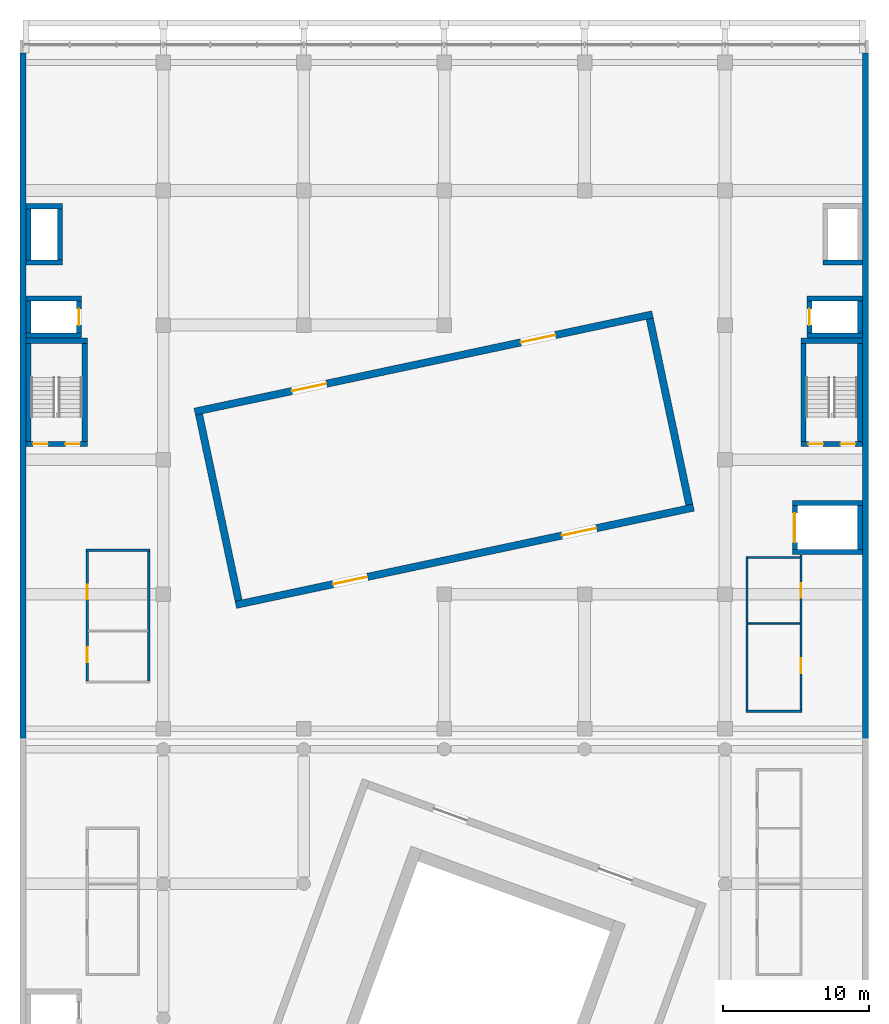
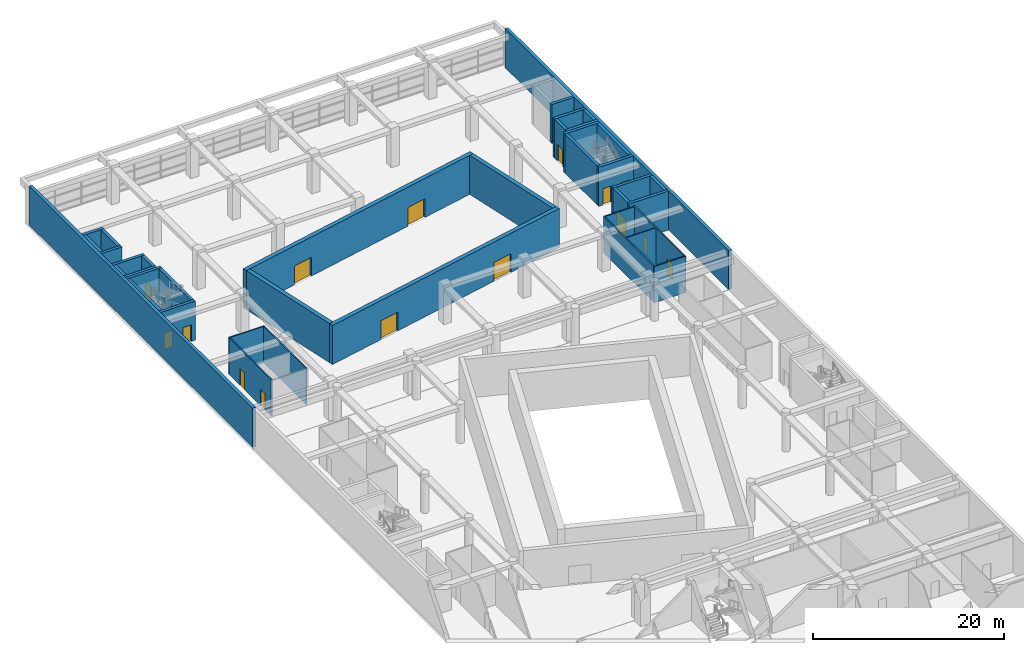
# One storey, part 14 of 31: 39 walls, 15 doors, 15 openings.
"""IFC4 building model written with IfcOpenShell, lengths in metres."""

from ifc_helpers import new_model, si_unit, direction, frame, frame_2d, origin, place, context, subcontext, project, spatial, rectangle, extrude, material, layer, layer_set, type_object, element, fill, save


model = new_model("IFC4")

# Units and contexts
model_context = context("Model", 3, precision=1e-05, world=origin(), true_north=direction((0.0, 1.0)))
body_context = subcontext(model_context, "Body", "Model", "MODEL_VIEW")
ifc_project = project(units=[si_unit("LENGTHUNIT", "METRE"), si_unit("AREAUNIT", "SQUARE_METRE"), si_unit("VOLUMEUNIT", "CUBIC_METRE"), si_unit("PLANEANGLEUNIT", "RADIAN"), si_unit("MASSUNIT", "GRAM", prefix="KILO")], contexts=[model_context])

# Site, building, storey
site_placement = place(None, origin())
site = spatial("IfcSite", under=ifc_project, at=site_placement, CompositionType="ELEMENT")
building_placement = place(site_placement, origin())
building = spatial("IfcBuilding", under=site, at=building_placement, Name="Nzadi Deep Aquarium and Research Tower", CompositionType="ELEMENT")
storey_placement = place(building_placement, frame((0.0, 0.0, 21.699951171875)))
storey = spatial("IfcBuildingStorey", under=building, at=storey_placement, Name="L03", CompositionType="ELEMENT", Elevation=21.699951171875)

# Wall
ifc_material_1 = material(Name="Blockwork masonry", Category="masonry")
ifc_layer_1 = layer(ifc_material_1, 0.10009765625)
ifc_layer_set_1 = layer_set([ifc_layer_1], Name="Blockwork masonry")
wall_type_1 = type_object("IfcWallType", Name="Partition 100 EI 30", PredefinedType="PARTITIONING", material=ifc_layer_set_1)
wall_1_placement = place(storey_placement, frame((49.574951171875, 102.0, 0.0), z_axis=(0.0, 0.0, 1.0), x_axis=(1.0, 0.0, 0.0)))
element("IfcWall", 1, at=wall_1_placement, inside=storey, type_object=wall_type_1, Name="W-Z3-L03-P008", PredefinedType="PARTITIONING", context=body_context, shape_type="SweptSolid", body=[
    extrude(rectangle(XDim=3.550048828125, YDim=0.10009765625, at=frame_2d((1.77490234375, 0.0))), origin(), (0.0, 0.0, 1.0), 4.650146484375),
])

# Wall, openings, doors
ifc_material_2 = material(Name="Blockwork masonry", Category="masonry")
ifc_layer_2 = layer(ifc_material_2, 0.14990234375)
ifc_layer_set_2 = layer_set([ifc_layer_2], Name="Blockwork masonry")
wall_type_2 = type_object("IfcWallType", Name="Partition 150 EI 60", PredefinedType="PARTITIONING", material=ifc_layer_set_2)
wall_2_placement = place(storey_placement, frame((4.39990234375, 98.074951171875, 0.0), z_axis=(0.0, 0.0, 1.0), x_axis=(0.0, 1.0, 0.0)))
wall_2 = element("IfcWall", 2, at=wall_2_placement, inside=storey, type_object=wall_type_2, Name="W-Z3-L03-P002", PredefinedType="PARTITIONING", context=body_context, shape_type="SweptSolid", body=[
    extrude(rectangle(XDim=8.85009765625, YDim=0.14990234375, at=frame_2d((4.425048828125, 0.0))), origin(), (0.0, 0.0, 1.0), 4.650146484375),
])
opening_1_placement = place(wall_2_placement, frame((1.284912109375, 0.0, 0.0)))
opening_1 = element("IfcOpeningElement", 3, at=opening_1_placement, cuts=wall_2, Name="Opening D043003", PredefinedType="OPENING", context=body_context, shape_type="SweptSolid", body=[
    extrude(rectangle(XDim=1.0, YDim=2.10009765625, at=frame_2d((0.5, 1.050048828125))), frame((0.0, 0.0849609375, 0.0), z_axis=(0.0, -1.0, 0.0), x_axis=(1.0, 0.0, 0.0)), (0.0, 0.0, 1.0), 0.169921875),
])
opening_2_placement = place(wall_2_placement, frame((5.56494140625, 0.0, 0.0)))
opening_2 = element("IfcOpeningElement", 4, at=opening_2_placement, cuts=wall_2, Name="Opening D043004", PredefinedType="OPENING", context=body_context, shape_type="SweptSolid", body=[
    extrude(rectangle(XDim=1.0, YDim=2.10009765625, at=frame_2d((0.5, 1.050048828125))), frame((0.0, 0.0849609375, 0.0), z_axis=(0.0, -1.0, 0.0), x_axis=(1.0, 0.0, 0.0)), (0.0, 0.0, 1.0), 0.169921875),
])
ifc_material_3 = material(Name="Fire-rated steel door", Category="steel")
ifc_layer_3 = layer(ifc_material_3, 0.050048828125)
ifc_layer_set_3 = layer_set([ifc_layer_3], Name="Fire-rated steel door")
door_type_1 = type_object("IfcDoorType", Name="Door 1000x2100 EI 60 single", OperationType="SINGLE_SWING_LEFT", PredefinedType="DOOR", material=ifc_layer_set_3)
door_1_placement = place(opening_1_placement, origin())
door_1 = element("IfcDoor", 5, at=door_1_placement, inside=storey, type_object=door_type_1, Name="D043003", OperationType="SINGLE_SWING_RIGHT", OverallHeight=2.10009765625, OverallWidth=1.0, PredefinedType="DOOR", context=body_context, shape_type="SweptSolid", body=[
    extrude(rectangle(XDim=1.0, YDim=2.10009765625, at=frame_2d((0.5, 1.050048828125))), frame((0.0, 0.02490234375, 0.0), z_axis=(0.0, -1.0, 0.0), x_axis=(1.0, 0.0, 0.0)), (0.0, 0.0, 1.0), 0.050048828125),
])
fill(opening_1, door_1)
door_2_placement = place(opening_2_placement, origin())
door_2 = element("IfcDoor", 6, at=door_2_placement, inside=storey, type_object=door_type_1, Name="D043004", OperationType="SINGLE_SWING_LEFT", OverallHeight=2.10009765625, OverallWidth=1.0, PredefinedType="DOOR", context=body_context, shape_type="SweptSolid", body=[
    extrude(rectangle(XDim=1.0, YDim=2.10009765625, at=frame_2d((0.5, 1.050048828125))), frame((0.0, 0.02490234375, 0.0), z_axis=(0.0, -1.0, 0.0), x_axis=(1.0, 0.0, 0.0)), (0.0, 0.0, 1.0), 0.050048828125),
])
fill(opening_2, door_2)

# Walls
wall_3_placement = place(storey_placement, frame((4.324951171875, 107.0, 0.0), z_axis=(0.0, 0.0, 1.0), x_axis=(1.0, 0.0, 0.0)))
element("IfcWall", 7, at=wall_3_placement, inside=storey, type_object=wall_type_2, Name="W-Z3-L03-P003", PredefinedType="PARTITIONING", context=body_context, shape_type="SweptSolid", body=[
    extrude(rectangle(XDim=4.35009765625, YDim=0.14990234375, at=frame_2d((2.175048828125, 0.0))), origin(), (0.0, 0.0, 1.0), 4.650146484375),
])
wall_4_placement = place(storey_placement, frame((8.60009765625, 98.074951171875, 0.0), z_axis=(0.0, 0.0, 1.0), x_axis=(0.0, 1.0, 0.0)))
element("IfcWall", 8, at=wall_4_placement, inside=storey, type_object=wall_type_2, Name="W-Z3-L03-P005", PredefinedType="PARTITIONING", context=body_context, shape_type="SweptSolid", body=[
    extrude(rectangle(XDim=8.85009765625, YDim=0.14990234375, at=frame_2d((4.425048828125, 0.0))), origin(), (0.0, 0.0, 1.0), 4.650146484375),
])
wall_5_placement = place(storey_placement, frame((49.425048828125, 96.0, 0.0), z_axis=(0.0, 0.0, 1.0), x_axis=(1.0, 0.0, 0.0)))
element("IfcWall", 9, at=wall_5_placement, inside=storey, type_object=wall_type_2, Name="W-Z3-L03-P006", PredefinedType="PARTITIONING", context=body_context, shape_type="SweptSolid", body=[
    extrude(rectangle(XDim=3.849853515625, YDim=0.14990234375, at=frame_2d((1.9248046875, 0.0))), origin(), (0.0, 0.0, 1.0), 4.650146484375),
])
wall_6_placement = place(storey_placement, frame((49.5, 96.074951171875, 0.0), z_axis=(0.0, 0.0, 1.0), x_axis=(0.0, 1.0, 0.0)))
element("IfcWall", 10, at=wall_6_placement, inside=storey, type_object=wall_type_2, Name="W-Z3-L03-P007", PredefinedType="PARTITIONING", context=body_context, shape_type="SweptSolid", body=[
    extrude(rectangle(XDim=10.5, YDim=0.14990234375, at=frame_2d((5.25, 0.0))), origin(), (0.0, 0.0, 1.0), 4.650146484375),
])
wall_7_placement = place(storey_placement, frame((49.574951171875, 106.5, 0.0), z_axis=(0.0, 0.0, 1.0), x_axis=(1.0, 0.0, 0.0)))
element("IfcWall", 11, at=wall_7_placement, inside=storey, type_object=wall_type_2, Name="W-Z3-L03-P009", PredefinedType="PARTITIONING", context=body_context, shape_type="SweptSolid", body=[
    extrude(rectangle(XDim=3.550048828125, YDim=0.14990234375, at=frame_2d((1.77490234375, 0.0))), origin(), (0.0, 0.0, 1.0), 4.650146484375),
])

# Wall, openings, doors
wall_8_placement = place(storey_placement, frame((53.199951171875, 96.074951171875, 0.0), z_axis=(0.0, 0.0, 1.0), x_axis=(0.0, 1.0, 0.0)))
wall_8 = element("IfcWall", 12, at=wall_8_placement, inside=storey, type_object=wall_type_2, Name="W-Z3-L03-P010", PredefinedType="PARTITIONING", context=body_context, shape_type="SweptSolid", body=[
    extrude(rectangle(XDim=10.619140625, YDim=0.14990234375, at=frame_2d((5.3095703125, 0.0))), origin(), (0.0, 0.0, 1.0), 4.650146484375),
])
opening_3_placement = place(wall_8_placement, frame((2.534912109375, 0.0, 0.0)))
opening_3 = element("IfcOpeningElement", 13, at=opening_3_placement, cuts=wall_8, Name="Opening D043001", PredefinedType="OPENING", context=body_context, shape_type="SweptSolid", body=[
    extrude(rectangle(XDim=1.0, YDim=2.10009765625, at=frame_2d((0.5, 1.050048828125))), frame((0.0, 0.0849609375, 0.0), z_axis=(0.0, -1.0, 0.0), x_axis=(1.0, 0.0, 0.0)), (0.0, 0.0, 1.0), 0.169921875),
])
opening_4_placement = place(wall_8_placement, frame((7.675048828125, 0.0, 0.0)))
opening_4 = element("IfcOpeningElement", 14, at=opening_4_placement, cuts=wall_8, Name="Opening D043002", PredefinedType="OPENING", context=body_context, shape_type="SweptSolid", body=[
    extrude(rectangle(XDim=1.0, YDim=2.10009765625, at=frame_2d((0.5, 1.050048828125))), frame((0.0, 0.0849609375, 0.0), z_axis=(0.0, -1.0, 0.0), x_axis=(1.0, 0.0, 0.0)), (0.0, 0.0, 1.0), 0.169921875),
])
door_3_placement = place(opening_3_placement, origin())
door_3 = element("IfcDoor", 15, at=door_3_placement, inside=storey, type_object=door_type_1, Name="D043001", OperationType="SINGLE_SWING_LEFT", OverallHeight=2.10009765625, OverallWidth=1.0, PredefinedType="DOOR", context=body_context, shape_type="SweptSolid", body=[
    extrude(rectangle(XDim=1.0, YDim=2.10009765625, at=frame_2d((0.5, 1.050048828125))), frame((0.0, 0.02490234375, 0.0), z_axis=(0.0, -1.0, 0.0), x_axis=(1.0, 0.0, 0.0)), (0.0, 0.0, 1.0), 0.050048828125),
])
fill(opening_3, door_3)
door_4_placement = place(opening_4_placement, origin())
door_4 = element("IfcDoor", 16, at=door_4_placement, inside=storey, type_object=door_type_1, Name="D043002", OperationType="SINGLE_SWING_RIGHT", OverallHeight=2.10009765625, OverallWidth=1.0, PredefinedType="DOOR", context=body_context, shape_type="SweptSolid", body=[
    extrude(rectangle(XDim=1.0, YDim=2.10009765625, at=frame_2d((0.5, 1.050048828125))), frame((0.0, 0.02490234375, 0.0), z_axis=(0.0, -1.0, 0.0), x_axis=(1.0, 0.0, 0.0)), (0.0, 0.0, 1.0), 0.050048828125),
])
fill(opening_4, door_4)

ifc_material_4 = material(Name="Concrete C35/45", Category="concrete")
ifc_layer_4 = layer(ifc_material_4, 0.35009765625)
ifc_layer_set_4 = layer_set([ifc_layer_4], Name="Concrete C35/45")
wall_type_3 = type_object("IfcWallType", Name="RC core wall 350", PredefinedType="SHEAR", material=ifc_layer_set_4)
wall_9_placement = place(storey_placement, frame((0.199951171875, 114.27490234375, 0.0), z_axis=(0.0, 0.0, 1.0), x_axis=(1.0, 0.0, 0.0)))
wall_9 = element("IfcWall", 17, at=wall_9_placement, inside=storey, type_object=wall_type_3, Name="W-CORE-ST-Z3-W-L03-S", PredefinedType="SHEAR", context=body_context, shape_type="SweptSolid", body=[
    extrude(rectangle(XDim=4.199951171875, YDim=0.35009765625, at=frame_2d((2.10009765625, 0.0))), origin(), (0.0, 0.0, 1.0), 5.0),
])
opening_5_placement = place(wall_9_placement, frame((0.5, 0.0, 0.0)))
opening_5 = element("IfcOpeningElement", 18, at=opening_5_placement, cuts=wall_9, Name="Opening DS-Z3-W-L03A", PredefinedType="OPENING", context=body_context, shape_type="SweptSolid", body=[
    extrude(rectangle(XDim=1.0, YDim=2.10009765625, at=frame_2d((0.5, 1.050048828125))), frame((0.0, 0.18505859375, 0.0), z_axis=(0.0, -1.0, 0.0), x_axis=(1.0, 0.0, 0.0)), (0.0, 0.0, 1.0), 0.3701171875),
])
opening_6_placement = place(wall_9_placement, frame((2.699951171875, 0.0, 0.0)))
opening_6 = element("IfcOpeningElement", 19, at=opening_6_placement, cuts=wall_9, Name="Opening DS-Z3-W-L03B", PredefinedType="OPENING", context=body_context, shape_type="SweptSolid", body=[
    extrude(rectangle(XDim=1.0, YDim=2.10009765625, at=frame_2d((0.5, 1.050048828125))), frame((0.0, 0.18505859375, 0.0), z_axis=(0.0, -1.0, 0.0), x_axis=(1.0, 0.0, 0.0)), (0.0, 0.0, 1.0), 0.3701171875),
])
ifc_material_5 = material(Name="Steel, powder coated", Category="steel")
door_type_2 = type_object("IfcDoorType", Name="STAIR DOOR 1000x2100 EI 60", OperationType="SINGLE_SWING_LEFT", PredefinedType="DOOR", material=ifc_material_5)
door_5_placement = place(opening_5_placement, origin())
door_5 = element("IfcDoor", 20, at=door_5_placement, inside=storey, type_object=door_type_2, Name="Stair door ST-Z3-W L03 A", OperationType="SINGLE_SWING_RIGHT", OverallHeight=2.10009765625, OverallWidth=1.0, PredefinedType="DOOR", context=body_context, shape_type="SweptSolid", body=[
    extrude(rectangle(XDim=1.0, YDim=2.10009765625, at=frame_2d((0.5, 1.050048828125))), frame((0.0, 0.02490234375, 0.0), z_axis=(0.0, -1.0, 0.0), x_axis=(1.0, 0.0, 0.0)), (0.0, 0.0, 1.0), 0.050048828125),
])
fill(opening_5, door_5)
door_6_placement = place(opening_6_placement, origin())
door_6 = element("IfcDoor", 21, at=door_6_placement, inside=storey, type_object=door_type_2, Name="Stair door ST-Z3-W L03 B", OperationType="SINGLE_SWING_LEFT", OverallHeight=2.10009765625, OverallWidth=1.0, PredefinedType="DOOR", context=body_context, shape_type="SweptSolid", body=[
    extrude(rectangle(XDim=1.0, YDim=2.10009765625, at=frame_2d((0.5, 1.050048828125))), frame((0.0, 0.02490234375, 0.0), z_axis=(0.0, -1.0, 0.0), x_axis=(1.0, 0.0, 0.0)), (0.0, 0.0, 1.0), 0.050048828125),
])
fill(opening_6, door_6)

# Walls
wall_10_placement = place(storey_placement, frame((0.199951171875, 121.324951171875, 0.0), z_axis=(0.0, 0.0, 1.0), x_axis=(1.0, 0.0, 0.0)))
element("IfcWall", 22, at=wall_10_placement, inside=storey, type_object=wall_type_3, Name="W-CORE-ST-Z3-W-L03-N", PredefinedType="SHEAR", context=body_context, shape_type="SweptSolid", body=[
    extrude(rectangle(XDim=4.199951171875, YDim=0.35009765625, at=frame_2d((2.10009765625, 0.0))), origin(), (0.0, 0.0, 1.0), 5.0),
])
for number, where, z_axis, x_axis, name in (
    (23, (0.375, 114.449951171875, 0.0), (0.0, 0.0, 1.0), (0.0, 1.0, 0.0), "W-CORE-ST-Z3-W-L03-W"),
    (24, (4.22509765625, 114.449951171875, 0.0), (0.0, 0.0, 1.0), (0.0, 1.0, 0.0), "W-CORE-ST-Z3-W-L03-E"),
):
    element("IfcWall", number, at=place(storey_placement, frame(where, z_axis=z_axis, x_axis=x_axis)), inside=storey, type_object=wall_type_3, Name=name, PredefinedType="SHEAR", context=body_context, shape_type="SweptSolid", body=[
        extrude(rectangle(XDim=6.699951171875, YDim=0.35009765625, at=frame_2d((3.35009765625, 0.0))), origin(), (0.0, 0.0, 1.0), 5.0),
    ])

# Wall, openings, doors
wall_11_placement = place(storey_placement, frame((53.199951171875, 114.27490234375, 0.0), z_axis=(0.0, 0.0, 1.0), x_axis=(1.0, 0.0, 0.0)))
wall_11 = element("IfcWall", 25, at=wall_11_placement, inside=storey, type_object=wall_type_3, Name="W-CORE-ST-Z3-E-L03-S", PredefinedType="SHEAR", context=body_context, shape_type="SweptSolid", body=[
    extrude(rectangle(XDim=4.199951171875, YDim=0.35009765625, at=frame_2d((2.10009765625, 0.0))), origin(), (0.0, 0.0, 1.0), 5.0),
])
opening_7_placement = place(wall_11_placement, frame((0.5, 0.0, 0.0)))
opening_7 = element("IfcOpeningElement", 26, at=opening_7_placement, cuts=wall_11, Name="Opening DS-Z3-E-L03A", PredefinedType="OPENING", context=body_context, shape_type="SweptSolid", body=[
    extrude(rectangle(XDim=1.0, YDim=2.10009765625, at=frame_2d((0.5, 1.050048828125))), frame((0.0, 0.18505859375, 0.0), z_axis=(0.0, -1.0, 0.0), x_axis=(1.0, 0.0, 0.0)), (0.0, 0.0, 1.0), 0.3701171875),
])
opening_8_placement = place(wall_11_placement, frame((2.699951171875, 0.0, 0.0)))
opening_8 = element("IfcOpeningElement", 27, at=opening_8_placement, cuts=wall_11, Name="Opening DS-Z3-E-L03B", PredefinedType="OPENING", context=body_context, shape_type="SweptSolid", body=[
    extrude(rectangle(XDim=1.0, YDim=2.10009765625, at=frame_2d((0.5, 1.050048828125))), frame((0.0, 0.18505859375, 0.0), z_axis=(0.0, -1.0, 0.0), x_axis=(1.0, 0.0, 0.0)), (0.0, 0.0, 1.0), 0.3701171875),
])
door_7_placement = place(opening_7_placement, origin())
door_7 = element("IfcDoor", 28, at=door_7_placement, inside=storey, type_object=door_type_2, Name="Stair door ST-Z3-E L03 A", OperationType="SINGLE_SWING_RIGHT", OverallHeight=2.10009765625, OverallWidth=1.0, PredefinedType="DOOR", context=body_context, shape_type="SweptSolid", body=[
    extrude(rectangle(XDim=1.0, YDim=2.10009765625, at=frame_2d((0.5, 1.050048828125))), frame((0.0, 0.02490234375, 0.0), z_axis=(0.0, -1.0, 0.0), x_axis=(1.0, 0.0, 0.0)), (0.0, 0.0, 1.0), 0.050048828125),
])
fill(opening_7, door_7)
door_8_placement = place(opening_8_placement, origin())
door_8 = element("IfcDoor", 29, at=door_8_placement, inside=storey, type_object=door_type_2, Name="Stair door ST-Z3-E L03 B", OperationType="SINGLE_SWING_LEFT", OverallHeight=2.10009765625, OverallWidth=1.0, PredefinedType="DOOR", context=body_context, shape_type="SweptSolid", body=[
    extrude(rectangle(XDim=1.0, YDim=2.10009765625, at=frame_2d((0.5, 1.050048828125))), frame((0.0, 0.02490234375, 0.0), z_axis=(0.0, -1.0, 0.0), x_axis=(1.0, 0.0, 0.0)), (0.0, 0.0, 1.0), 0.050048828125),
])
fill(opening_8, door_8)

# Walls
wall_12_placement = place(storey_placement, frame((53.199951171875, 121.324951171875, 0.0), z_axis=(0.0, 0.0, 1.0), x_axis=(1.0, 0.0, 0.0)))
element("IfcWall", 30, at=wall_12_placement, inside=storey, type_object=wall_type_3, Name="W-CORE-ST-Z3-E-L03-N", PredefinedType="SHEAR", context=body_context, shape_type="SweptSolid", body=[
    extrude(rectangle(XDim=4.199951171875, YDim=0.35009765625, at=frame_2d((2.10009765625, 0.0))), origin(), (0.0, 0.0, 1.0), 5.0),
])
for number, where, z_axis, x_axis, name in (
    (31, (53.375, 114.449951171875, 0.0), (0.0, 0.0, 1.0), (0.0, 1.0, 0.0), "W-CORE-ST-Z3-E-L03-W"),
    (32, (57.22509765625, 114.449951171875, 0.0), (0.0, 0.0, 1.0), (0.0, 1.0, 0.0), "W-CORE-ST-Z3-E-L03-E"),
):
    element("IfcWall", number, at=place(storey_placement, frame(where, z_axis=z_axis, x_axis=x_axis)), inside=storey, type_object=wall_type_3, Name=name, PredefinedType="SHEAR", context=body_context, shape_type="SweptSolid", body=[
        extrude(rectangle(XDim=6.699951171875, YDim=0.35009765625, at=frame_2d((3.35009765625, 0.0))), origin(), (0.0, 0.0, 1.0), 5.0),
    ])
for number, where, z_axis, x_axis, name in (
    (33, (0.199951171875, 121.675048828125, 0.0), (0.0, 0.0, 1.0), (1.0, 0.0, 0.0), "W-CORE-PL5-L03-S"),
    (34, (0.199951171875, 124.22509765625, 0.0), (0.0, 0.0, 1.0), (1.0, 0.0, 0.0), "W-CORE-PL5-L03-N"),
):
    element("IfcWall", number, at=place(storey_placement, frame(where, z_axis=z_axis, x_axis=x_axis)), inside=storey, type_object=wall_type_3, Name=name, PredefinedType="SHEAR", context=body_context, shape_type="SweptSolid", body=[
        extrude(rectangle(XDim=3.800048828125, YDim=0.35009765625, at=frame_2d((1.89990234375, 0.0))), origin(), (0.0, 0.0, 1.0), 5.0),
    ])
wall_13_placement = place(storey_placement, frame((0.375, 121.85009765625, 0.0), z_axis=(0.0, 0.0, 1.0), x_axis=(0.0, 1.0, 0.0)))
element("IfcWall", 35, at=wall_13_placement, inside=storey, type_object=wall_type_3, Name="W-CORE-PL5-L03-W", PredefinedType="SHEAR", context=body_context, shape_type="SweptSolid", body=[
    extrude(rectangle(XDim=2.199951171875, YDim=0.35009765625, at=frame_2d((1.10009765625, 0.0))), origin(), (0.0, 0.0, 1.0), 5.0),
])

# Wall, opening, door
wall_14_placement = place(storey_placement, frame((3.824951171875, 121.85009765625, 0.0), z_axis=(0.0, 0.0, 1.0), x_axis=(0.0, 1.0, 0.0)))
wall_14 = element("IfcWall", 36, at=wall_14_placement, inside=storey, type_object=wall_type_3, Name="W-CORE-PL5-L03-E", PredefinedType="SHEAR", context=body_context, shape_type="SweptSolid", body=[
    extrude(rectangle(XDim=2.199951171875, YDim=0.35009765625, at=frame_2d((1.10009765625, 0.0))), origin(), (0.0, 0.0, 1.0), 5.0),
])
opening_9_placement = place(wall_14_placement, frame((0.550048828125, 0.0, 0.0)))
opening_9 = element("IfcOpeningElement", 37, at=opening_9_placement, cuts=wall_14, Name="Opening LD-PL5-L03", PredefinedType="OPENING", context=body_context, shape_type="SweptSolid", body=[
    extrude(rectangle(XDim=1.10009765625, YDim=2.10009765625, at=frame_2d((0.550048828125, 1.050048828125))), frame((0.0, 0.18505859375, 0.0), z_axis=(0.0, -1.0, 0.0), x_axis=(1.0, 0.0, 0.0)), (0.0, 0.0, 1.0), 0.3701171875),
])
ifc_material_6 = material(Name="Stainless steel 1.4301", Category="steel")
door_type_3 = type_object("IfcDoorType", Name="LANDING DOOR 1100x2100", OperationType="DOUBLE_DOOR_SLIDING", PredefinedType="DOOR", material=ifc_material_6)
door_9_placement = place(opening_9_placement, origin())
door_9 = element("IfcDoor", 38, at=door_9_placement, inside=storey, type_object=door_type_3, Name="Landing door PL5 L03", OperationType="DOUBLE_DOOR_SLIDING", OverallHeight=2.10009765625, OverallWidth=1.10009765625, PredefinedType="DOOR", context=body_context, shape_type="SweptSolid", body=[
    extrude(rectangle(XDim=1.10009765625, YDim=2.10009765625, at=frame_2d((0.550048828125, 1.050048828125))), frame((0.0, 0.02490234375, 0.0), z_axis=(0.0, -1.0, 0.0), x_axis=(1.0, 0.0, 0.0)), (0.0, 0.0, 1.0), 0.050048828125),
])
fill(opening_9, door_9)

# Walls
for number, where, z_axis, x_axis, name in (
    (39, (53.60009765625, 121.675048828125, 0.0), (0.0, 0.0, 1.0), (1.0, 0.0, 0.0), "W-CORE-PL6-L03-S"),
    (40, (53.60009765625, 124.22509765625, 0.0), (0.0, 0.0, 1.0), (1.0, 0.0, 0.0), "W-CORE-PL6-L03-N"),
):
    element("IfcWall", number, at=place(storey_placement, frame(where, z_axis=z_axis, x_axis=x_axis)), inside=storey, type_object=wall_type_3, Name=name, PredefinedType="SHEAR", context=body_context, shape_type="SweptSolid", body=[
        extrude(rectangle(XDim=3.7998046875, YDim=0.35009765625, at=frame_2d((1.89990234375, 0.0))), origin(), (0.0, 0.0, 1.0), 5.0),
    ])

# Wall, opening, door
wall_15_placement = place(storey_placement, frame((53.77490234375, 121.85009765625, 0.0), z_axis=(0.0, 0.0, 1.0), x_axis=(0.0, 1.0, 0.0)))
wall_15 = element("IfcWall", 41, at=wall_15_placement, inside=storey, type_object=wall_type_3, Name="W-CORE-PL6-L03-W", PredefinedType="SHEAR", context=body_context, shape_type="SweptSolid", body=[
    extrude(rectangle(XDim=2.199951171875, YDim=0.35009765625, at=frame_2d((1.10009765625, 0.0))), origin(), (0.0, 0.0, 1.0), 5.0),
])
opening_10_placement = place(wall_15_placement, frame((0.550048828125, 0.0, 0.0)))
opening_10 = element("IfcOpeningElement", 42, at=opening_10_placement, cuts=wall_15, Name="Opening LD-PL6-L03", PredefinedType="OPENING", context=body_context, shape_type="SweptSolid", body=[
    extrude(rectangle(XDim=1.10009765625, YDim=2.10009765625, at=frame_2d((0.550048828125, 1.050048828125))), frame((0.0, 0.18505859375, 0.0), z_axis=(0.0, -1.0, 0.0), x_axis=(1.0, 0.0, 0.0)), (0.0, 0.0, 1.0), 0.3701171875),
])
door_10_placement = place(opening_10_placement, origin())
door_10 = element("IfcDoor", 43, at=door_10_placement, inside=storey, type_object=door_type_3, Name="Landing door PL6 L03", OperationType="DOUBLE_DOOR_SLIDING", OverallHeight=2.10009765625, OverallWidth=1.10009765625, PredefinedType="DOOR", context=body_context, shape_type="SweptSolid", body=[
    extrude(rectangle(XDim=1.10009765625, YDim=2.10009765625, at=frame_2d((0.550048828125, 1.050048828125))), frame((0.0, 0.02490234375, 0.0), z_axis=(0.0, -1.0, 0.0), x_axis=(1.0, 0.0, 0.0)), (0.0, 0.0, 1.0), 0.050048828125),
])
fill(opening_10, door_10)

# Walls
wall_16_placement = place(storey_placement, frame((57.22509765625, 121.85009765625, 0.0), z_axis=(0.0, 0.0, 1.0), x_axis=(0.0, 1.0, 0.0)))
element("IfcWall", 44, at=wall_16_placement, inside=storey, type_object=wall_type_3, Name="W-CORE-PL6-L03-E", PredefinedType="SHEAR", context=body_context, shape_type="SweptSolid", body=[
    extrude(rectangle(XDim=2.199951171875, YDim=0.35009765625, at=frame_2d((1.10009765625, 0.0))), origin(), (0.0, 0.0, 1.0), 5.0),
])
for number, where, z_axis, x_axis, name in (
    (45, (52.60009765625, 106.875, 0.0), (0.0, 0.0, 1.0), (1.0, 0.0, 0.0), "W-CORE-GL2-L03-S"),
    (46, (52.60009765625, 110.22509765625, 0.0), (0.0, 0.0, 1.0), (1.0, 0.0, 0.0), "W-CORE-GL2-L03-N"),
):
    element("IfcWall", number, at=place(storey_placement, frame(where, z_axis=z_axis, x_axis=x_axis)), inside=storey, type_object=wall_type_3, Name=name, PredefinedType="SHEAR", context=body_context, shape_type="SweptSolid", body=[
        extrude(rectangle(XDim=4.7998046875, YDim=0.35009765625, at=frame_2d((2.39990234375, 0.0))), origin(), (0.0, 0.0, 1.0), 5.0),
    ])

# Wall, opening, door
wall_17_placement = place(storey_placement, frame((52.77490234375, 107.050048828125, 0.0), z_axis=(0.0, 0.0, 1.0), x_axis=(0.0, 1.0, 0.0)))
wall_17 = element("IfcWall", 47, at=wall_17_placement, inside=storey, type_object=wall_type_3, Name="W-CORE-GL2-L03-W", PredefinedType="SHEAR", context=body_context, shape_type="SweptSolid", body=[
    extrude(rectangle(XDim=3.0, YDim=0.35009765625, at=frame_2d((1.5, 0.0))), origin(), (0.0, 0.0, 1.0), 5.0),
])
opening_11_placement = place(wall_17_placement, frame((0.5, 0.0, 0.0)))
opening_11 = element("IfcOpeningElement", 48, at=opening_11_placement, cuts=wall_17, Name="Opening LD-GL2-L03", PredefinedType="OPENING", context=body_context, shape_type="SweptSolid", body=[
    extrude(rectangle(XDim=2.0, YDim=2.39990234375, at=frame_2d((1.0, 1.199951171875))), frame((0.0, 0.18505859375, 0.0), z_axis=(0.0, -1.0, 0.0), x_axis=(1.0, 0.0, 0.0)), (0.0, 0.0, 1.0), 0.3701171875),
])
ifc_material_7 = material(Name="Stainless steel 1.4301", Category="steel")
door_type_4 = type_object("IfcDoorType", Name="LANDING DOOR 2000x2400", OperationType="DOUBLE_DOOR_SLIDING", PredefinedType="DOOR", material=ifc_material_7)
door_11_placement = place(opening_11_placement, origin())
door_11 = element("IfcDoor", 49, at=door_11_placement, inside=storey, type_object=door_type_4, Name="Landing door GL2 L03", OperationType="DOUBLE_DOOR_SLIDING", OverallHeight=2.39990234375, OverallWidth=2.0, PredefinedType="DOOR", context=body_context, shape_type="SweptSolid", body=[
    extrude(rectangle(XDim=2.0, YDim=2.39990234375, at=frame_2d((1.0, 1.199951171875))), frame((0.0, 0.02490234375, 0.0), z_axis=(0.0, -1.0, 0.0), x_axis=(1.0, 0.0, 0.0)), (0.0, 0.0, 1.0), 0.050048828125),
])
fill(opening_11, door_11)

# Walls
wall_18_placement = place(storey_placement, frame((57.22509765625, 107.050048828125, 0.0), z_axis=(0.0, 0.0, 1.0), x_axis=(0.0, 1.0, 0.0)))
element("IfcWall", 50, at=wall_18_placement, inside=storey, type_object=wall_type_3, Name="W-CORE-GL2-L03-E", PredefinedType="SHEAR", context=body_context, shape_type="SweptSolid", body=[
    extrude(rectangle(XDim=3.0, YDim=0.35009765625, at=frame_2d((1.5, 0.0))), origin(), (0.0, 0.0, 1.0), 5.0),
])
for number, where, z_axis, x_axis, name in (
    (51, (0.199951171875, 126.675048828125, 0.0), (0.0, 0.0, 1.0), (1.0, 0.0, 0.0), "W-CORE-RS-Z3-W-L03-S"),
    (52, (0.199951171875, 130.52490234375, 0.0), (0.0, 0.0, 1.0), (1.0, 0.0, 0.0), "W-CORE-RS-Z3-W-L03-N"),
):
    element("IfcWall", number, at=place(storey_placement, frame(where, z_axis=z_axis, x_axis=x_axis)), inside=storey, type_object=wall_type_3, Name=name, PredefinedType="SHEAR", context=body_context, shape_type="SweptSolid", body=[
        extrude(rectangle(XDim=2.5, YDim=0.35009765625, at=frame_2d((1.25, 0.0))), origin(), (0.0, 0.0, 1.0), 5.0),
    ])
for number, where, z_axis, x_axis, name in (
    (53, (0.375, 126.85009765625, 0.0), (0.0, 0.0, 1.0), (0.0, 1.0, 0.0), "W-CORE-RS-Z3-W-L03-W"),
    (54, (2.52490234375, 126.85009765625, 0.0), (0.0, 0.0, 1.0), (0.0, 1.0, 0.0), "W-CORE-RS-Z3-W-L03-E"),
):
    element("IfcWall", number, at=place(storey_placement, frame(where, z_axis=z_axis, x_axis=x_axis)), inside=storey, type_object=wall_type_3, Name=name, PredefinedType="SHEAR", context=body_context, shape_type="SweptSolid", body=[
        extrude(rectangle(XDim=3.5, YDim=0.35009765625, at=frame_2d((1.75, 0.0))), origin(), (0.0, 0.0, 1.0), 5.0),
    ])
wall_19_placement = place(storey_placement, frame((54.699951171875, 126.675048828125, 0.0), z_axis=(0.0, 0.0, 1.0), x_axis=(1.0, 0.0, 0.0)))
element("IfcWall", 55, at=wall_19_placement, inside=storey, type_object=wall_type_3, Name="W-CORE-RS-Z3-E-L03-S", PredefinedType="SHEAR", context=body_context, shape_type="SweptSolid", body=[
    extrude(rectangle(XDim=2.699951171875, YDim=0.35009765625, at=frame_2d((1.35009765625, 0.0))), origin(), (0.0, 0.0, 1.0), 5.0),
])

# Wall, openings, doors
ifc_material_8 = material(Name="Concrete C35/45", Category="concrete")
ifc_layer_5 = layer(ifc_material_8, 0.5)
ifc_layer_set_5 = layer_set([ifc_layer_5], Name="Concrete C35/45")
wall_type_4 = type_object("IfcWallType", Name="RC envelope wall 500", PredefinedType="SHEAR", material=ifc_layer_set_5)
wall_20_placement = place(storey_placement, frame((14.552978515625, 103.27099609375, 0.0), z_axis=(0.0, 0.0, 1.0), x_axis=(0.978148301511, 0.207908393895, 0.0)))
wall_20 = element("IfcWall", 56, at=wall_20_placement, inside=storey, type_object=wall_type_4, Name="W-BL-L03-S", PredefinedType="SHEAR", context=body_context, shape_type="SweptSolid", body=[
    extrude(rectangle(XDim=32.0, YDim=0.5, at=frame_2d((16.0, 0.0))), origin(), (0.0, 0.0, 1.0), 5.0),
])
opening_12_placement = place(wall_20_placement, frame((6.800048828125, 0.0, 0.0)))
opening_12 = element("IfcOpeningElement", 57, at=opening_12_placement, cuts=wall_20, Name="Opening D043005", PredefinedType="OPENING", context=body_context, shape_type="SweptSolid", body=[
    extrude(rectangle(XDim=2.39990234375, YDim=2.39990234375, at=frame_2d((1.199951171875, 1.199951171875))), frame((0.0, 0.260009765625, 0.0), z_axis=(0.0, -1.0, 0.0), x_axis=(1.0, 0.0, 0.0)), (0.0, 0.0, 1.0), 0.52001953125),
])
opening_13_placement = place(wall_20_placement, frame((22.800048828125, 0.0, 0.0)))
opening_13 = element("IfcOpeningElement", 58, at=opening_13_placement, cuts=wall_20, Name="Opening D043007", PredefinedType="OPENING", context=body_context, shape_type="SweptSolid", body=[
    extrude(rectangle(XDim=2.39990234375, YDim=2.39990234375, at=frame_2d((1.199951171875, 1.199951171875))), frame((0.0, 0.260009765625, 0.0), z_axis=(0.0, -1.0, 0.0), x_axis=(1.0, 0.0, 0.0)), (0.0, 0.0, 1.0), 0.52001953125),
])
ifc_material_9 = material(Name="Fire-rated steel door", Category="steel")
ifc_layer_6 = layer(ifc_material_9, 0.050048828125)
ifc_layer_set_6 = layer_set([ifc_layer_6], Name="Fire-rated steel door")
door_type_5 = type_object("IfcDoorType", Name="Door 2400x2400 EI 120 double", OperationType="DOUBLE_DOOR_SINGLE_SWING", PredefinedType="DOOR", material=ifc_layer_set_6)
door_12_placement = place(opening_12_placement, origin())
door_12 = element("IfcDoor", 59, at=door_12_placement, inside=storey, type_object=door_type_5, Name="D043005", OperationType="DOUBLE_DOOR_SINGLE_SWING", OverallHeight=2.39990234375, OverallWidth=2.39990234375, PredefinedType="DOOR", context=body_context, shape_type="SweptSolid", body=[
    extrude(rectangle(XDim=2.39990234375, YDim=2.39990234375, at=frame_2d((1.199951171875, 1.199951171875))), frame((0.0, 0.02490234375, 0.0), z_axis=(0.0, -1.0, 0.0), x_axis=(1.0, 0.0, 0.0)), (0.0, 0.0, 1.0), 0.050048828125),
])
fill(opening_12, door_12)
door_13_placement = place(opening_13_placement, origin())
door_13 = element("IfcDoor", 60, at=door_13_placement, inside=storey, type_object=door_type_5, Name="D043007", OperationType="DOUBLE_DOOR_SINGLE_SWING", OverallHeight=2.39990234375, OverallWidth=2.39990234375, PredefinedType="DOOR", context=body_context, shape_type="SweptSolid", body=[
    extrude(rectangle(XDim=2.39990234375, YDim=2.39990234375, at=frame_2d((1.199951171875, 1.199951171875))), frame((0.0, 0.02490234375, 0.0), z_axis=(0.0, -1.0, 0.0), x_axis=(1.0, 0.0, 0.0)), (0.0, 0.0, 1.0), 0.050048828125),
])
fill(opening_13, door_13)

wall_21_placement = place(storey_placement, frame((11.746337890625, 116.475830078125, 0.0), z_axis=(0.0, 0.0, 1.0), x_axis=(0.978146420121, 0.207917245089, 0.0)))
wall_21 = element("IfcWall", 61, at=wall_21_placement, inside=storey, type_object=wall_type_4, Name="W-BL-L03-N", PredefinedType="SHEAR", context=body_context, shape_type="SweptSolid", body=[
    extrude(rectangle(XDim=31.999755859375, YDim=0.5, at=frame_2d((16.0, 0.0))), origin(), (0.0, 0.0, 1.0), 5.0),
])
opening_14_placement = place(wall_21_placement, frame((6.800048828125, 0.0, 0.0)))
opening_14 = element("IfcOpeningElement", 62, at=opening_14_placement, cuts=wall_21, Name="Opening D043006", PredefinedType="OPENING", context=body_context, shape_type="SweptSolid", body=[
    extrude(rectangle(XDim=2.39990234375, YDim=2.39990234375, at=frame_2d((1.199951171875, 1.199951171875))), frame((0.0, 0.260009765625, 0.0), z_axis=(0.0, -1.0, 0.0), x_axis=(1.0, 0.0, 0.0)), (0.0, 0.0, 1.0), 0.52001953125),
])
opening_15_placement = place(wall_21_placement, frame((22.800048828125, 0.0, 0.0)))
opening_15 = element("IfcOpeningElement", 63, at=opening_15_placement, cuts=wall_21, Name="Opening D043008", PredefinedType="OPENING", context=body_context, shape_type="SweptSolid", body=[
    extrude(rectangle(XDim=2.39990234375, YDim=2.39990234375, at=frame_2d((1.199951171875, 1.199951171875))), frame((0.0, 0.260009765625, 0.0), z_axis=(0.0, -1.0, 0.0), x_axis=(1.0, 0.0, 0.0)), (0.0, 0.0, 1.0), 0.52001953125),
])
door_14_placement = place(opening_14_placement, origin())
door_14 = element("IfcDoor", 64, at=door_14_placement, inside=storey, type_object=door_type_5, Name="D043006", OperationType="DOUBLE_DOOR_SINGLE_SWING", OverallHeight=2.39990234375, OverallWidth=2.39990234375, PredefinedType="DOOR", context=body_context, shape_type="SweptSolid", body=[
    extrude(rectangle(XDim=2.39990234375, YDim=2.39990234375, at=frame_2d((1.199951171875, 1.199951171875))), frame((0.0, 0.02490234375, 0.0), z_axis=(0.0, -1.0, 0.0), x_axis=(1.0, 0.0, 0.0)), (0.0, 0.0, 1.0), 0.050048828125),
])
fill(opening_14, door_14)
door_15_placement = place(opening_15_placement, origin())
door_15 = element("IfcDoor", 65, at=door_15_placement, inside=storey, type_object=door_type_5, Name="D043008", OperationType="DOUBLE_DOOR_SINGLE_SWING", OverallHeight=2.39990234375, OverallWidth=2.39990234375, PredefinedType="DOOR", context=body_context, shape_type="SweptSolid", body=[
    extrude(rectangle(XDim=2.39990234375, YDim=2.39990234375, at=frame_2d((1.199951171875, 1.199951171875))), frame((0.0, 0.02490234375, 0.0), z_axis=(0.0, -1.0, 0.0), x_axis=(1.0, 0.0, 0.0)), (0.0, 0.0, 1.0), 0.050048828125),
])
fill(opening_15, door_15)

# Walls
wall_22_placement = place(storey_placement, frame((14.74560546875, 103.5673828125, 0.0), z_axis=(0.0, 0.0, 1.0), x_axis=(-0.207911537827, 0.978147633253, 0.0)))
element("IfcWall", 66, at=wall_22_placement, inside=storey, type_object=wall_type_4, Name="W-BL-L03-W", PredefinedType="SHEAR", context=body_context, shape_type="SweptSolid", body=[
    extrude(rectangle(XDim=13.000244140625, YDim=0.5, at=frame_2d((6.5, 0.0))), origin(), (0.0, 0.0, 1.0), 5.0),
])
wall_23_placement = place(storey_placement, frame((45.557373046875, 110.11669921875, 0.0), z_axis=(0.0, 0.0, 1.0), x_axis=(-0.207915357117, 0.978146821431, 0.0)))
element("IfcWall", 67, at=wall_23_placement, inside=storey, type_object=wall_type_4, Name="W-BL-L03-E", PredefinedType="SHEAR", context=body_context, shape_type="SweptSolid", body=[
    extrude(rectangle(XDim=13.0, YDim=0.5, at=frame_2d((6.5, 0.0))), origin(), (0.0, 0.0, 1.0), 5.0),
])
ifc_material_10 = material(Name="Concrete C35/45", Category="concrete")
ifc_layer_7 = layer(ifc_material_10, 0.39990234375)
ifc_layer_set_7 = layer_set([ifc_layer_7], Name="Concrete C35/45")
wall_type_5 = type_object("IfcWallType", Name="RC party wall 400", PredefinedType="SHEAR", material=ifc_layer_set_7)
for number, where, z_axis, x_axis, name in (
    (68, (0.00048828125, 94.1201171875, 0.0), (0.0, 0.0, 1.0), (0.0, 1.0, 0.0), "W-PTY-Z3-L03-W"),
    (69, (57.599609375, 94.1201171875, 0.0), (0.0, 0.0, 1.0), (0.0, 1.0, 0.0), "W-PTY-Z3-L03-E"),
):
    element("IfcWall", number, at=place(storey_placement, frame(where, z_axis=z_axis, x_axis=x_axis)), inside=storey, type_object=wall_type_5, Name=name, PredefinedType="SHEAR", context=body_context, shape_type="SweptSolid", body=[
        extrude(rectangle(XDim=46.8798828125, YDim=0.39990234375, at=frame_2d((23.43994140625, 0.0))), origin(), (0.0, 0.0, 1.0), 5.0),
    ])

save(model, "model.ifc")
